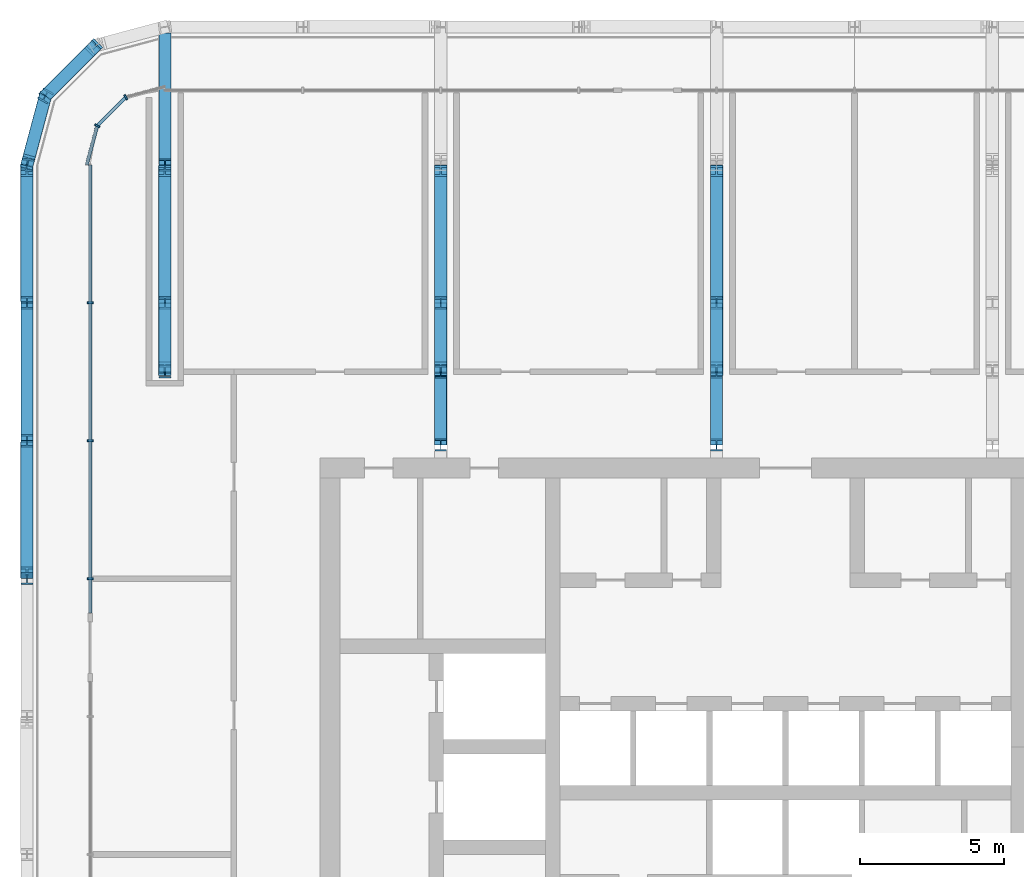
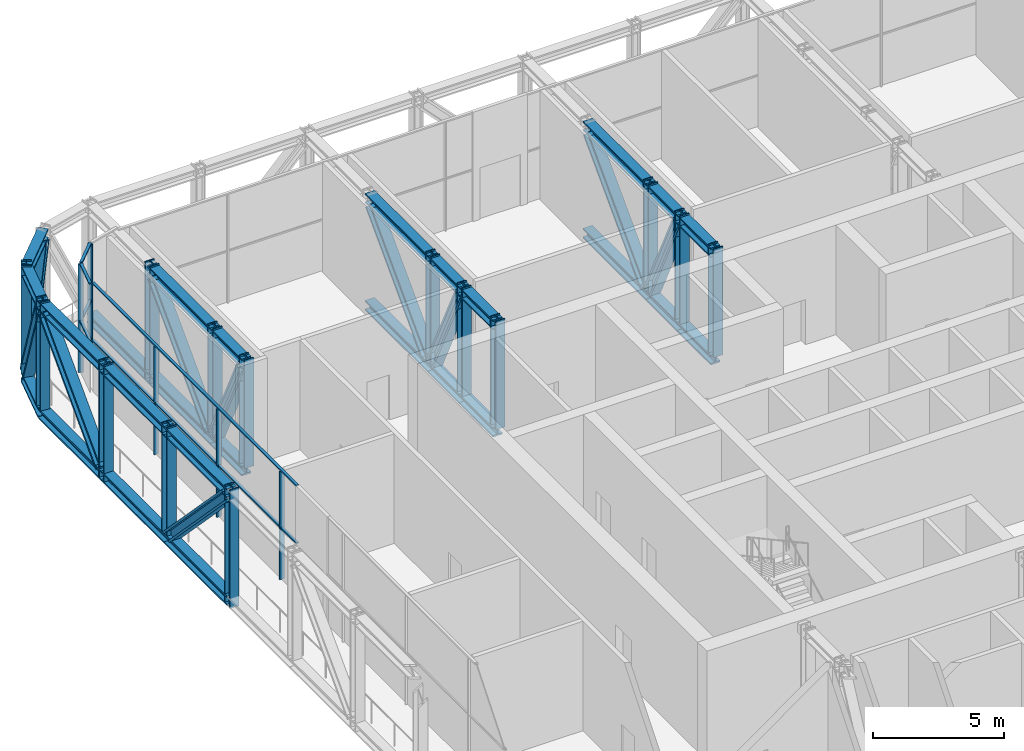
# One storey, part 7 of 22: 65 members, 2 elements without a shape of their own.
"""IFC4 building model written with IfcOpenShell, lengths in metres."""

from ifc_helpers import new_model, si_unit, direction, frame, origin, origin_2d, place, context, subcontext, project, spatial, rectangle, i_section, extrude, material, layer, layer_set, material_profile, profile_set, type_object, element, aggregate, save


model = new_model("IFC4")

# Units and contexts
model_context = context("Model", 3, precision=1e-05, world=origin(), true_north=direction((0.0, 1.0)))
body_context = subcontext(model_context, "Body", "Model", "MODEL_VIEW")
ifc_project = project(units=[si_unit("LENGTHUNIT", "METRE"), si_unit("AREAUNIT", "SQUARE_METRE"), si_unit("VOLUMEUNIT", "CUBIC_METRE"), si_unit("PLANEANGLEUNIT", "RADIAN"), si_unit("MASSUNIT", "GRAM", prefix="KILO")], contexts=[model_context])

# Site, building, storey
site_placement = place(None, origin())
site = spatial("IfcSite", under=ifc_project, at=site_placement, CompositionType="ELEMENT")
building_placement = place(site_placement, origin())
building = spatial("IfcBuilding", under=site, at=building_placement, Name="Madar Terraces", CompositionType="ELEMENT")
storey_placement = place(building_placement, frame((0.0, 0.0, 203.39990234375)))
storey = spatial("IfcBuildingStorey", under=building, at=storey_placement, Name="L53", CompositionType="ELEMENT", Elevation=203.39990234375)

# Members
ifc_material_1 = material(Name="Steel ASTM A992 Grade 50", Category="steel")
ifc_material_profile_1 = material_profile(ifc_material_1, i_section(OverallWidth=0.421630859375, OverallDepth=0.46484375, WebThickness=0.044921875, FlangeThickness=0.072509765625, at=origin_2d()), Name="W14x398")
ifc_profile_set_1 = profile_set([ifc_material_profile_1], Name="Steel ASTM A992 Grade 50")
member_type_1 = type_object("IfcMemberType", Name="BC7 W14x398", PredefinedType="CHORD", material=ifc_profile_set_1)
for number, where, z_axis, x_axis, name in (
    (1, (7.199951171875, 52.156982421875, -0.1875), (-0.70705765096, -0.707155907999, 0.0), (0.707155907999, -0.70705765096, 0.0), "Exoskeleton truss ring bottom chord BC7"),
    (2, (5.443115234375, 50.39990234375, -0.1875), (-0.258824494443, -0.965924366126, 0.0), (0.965924366126, -0.258824494443, 0.0), "Exoskeleton truss ring bottom chord BC7"),
):
    element("IfcMember", number, at=place(storey_placement, frame(where, z_axis=z_axis, x_axis=x_axis)), inside=storey, type_object=member_type_1, Name=name, PredefinedType="CHORD", context=body_context, shape_type="SweptSolid", body=[
        extrude(i_section(OverallWidth=0.421630859375, OverallDepth=0.46484375, WebThickness=0.044921875, FlangeThickness=0.072509765625, at=origin_2d()), origin(), (0.0, 0.0, 1.0), 2.484619140625),
    ])
for number, where, z_axis, x_axis, name in (
    (3, (4.800048828125, 48.0, -0.1875), (0.0, -1.0, 0.0), (1.0, 0.0, 0.0), "Exoskeleton truss ring bottom chord BC7"),
    (4, (4.800048828125, 43.199951171875, -0.1875), (0.0, -1.0, 0.0), (1.0, 0.0, 0.0), "Exoskeleton truss ring bottom chord BC7"),
):
    element("IfcMember", number, at=place(storey_placement, frame(where, z_axis=z_axis, x_axis=x_axis)), inside=storey, type_object=member_type_1, Name=name, PredefinedType="CHORD", context=body_context, shape_type="SweptSolid", body=[
        extrude(i_section(OverallWidth=0.421630859375, OverallDepth=0.46484375, WebThickness=0.044921875, FlangeThickness=0.072509765625, at=origin_2d()), origin(), (0.0, 0.0, 1.0), 4.800048828125),
    ])
member_1_placement = place(storey_placement, frame((4.800048828125, 38.39990234375, -0.1875), z_axis=(0.0, -1.0, 0.0), x_axis=(1.0, 0.0, 0.0)))
element("IfcMember", 5, at=member_1_placement, inside=storey, type_object=member_type_1, Name="Exoskeleton truss ring bottom chord BC7", PredefinedType="CHORD", context=body_context, shape_type="SweptSolid", body=[
    extrude(i_section(OverallWidth=0.421630859375, OverallDepth=0.46484375, WebThickness=0.044921875, FlangeThickness=0.072509765625, at=origin_2d()), origin(), (0.0, 0.0, 1.0), 4.7998046875),
])
member_2_placement = place(storey_placement, frame((9.60009765625, 52.589111328125, -0.1875), z_axis=(0.0, -1.0, 0.0), x_axis=(1.0, 0.0, 0.0)))
element("IfcMember", 6, at=member_2_placement, inside=storey, type_object=member_type_1, Name="Exoskeleton truss cross N9.6 bottom chord BC7", PredefinedType="CHORD", context=body_context, shape_type="SweptSolid", body=[
    extrude(i_section(OverallWidth=0.421630859375, OverallDepth=0.46484375, WebThickness=0.044921875, FlangeThickness=0.072509765625, at=origin_2d()), origin(), (0.0, 0.0, 1.0), 4.589111328125),
])
member_3_placement = place(storey_placement, frame((9.60009765625, 48.0, -0.1875), z_axis=(0.0, -1.0, 0.0), x_axis=(1.0, 0.0, 0.0)))
element("IfcMember", 7, at=member_3_placement, inside=storey, type_object=member_type_1, Name="Exoskeleton truss cross N9.6 bottom chord BC7", PredefinedType="CHORD", context=body_context, shape_type="SweptSolid", body=[
    extrude(i_section(OverallWidth=0.421630859375, OverallDepth=0.46484375, WebThickness=0.044921875, FlangeThickness=0.072509765625, at=origin_2d()), origin(), (0.0, 0.0, 1.0), 4.800048828125),
])
member_4_placement = place(storey_placement, frame((9.60009765625, 43.199951171875, -0.1875), z_axis=(0.0, -1.0, 0.0), x_axis=(1.0, 0.0, 0.0)))
element("IfcMember", 8, at=member_4_placement, inside=storey, type_object=member_type_1, Name="Exoskeleton truss cross N9.6 bottom chord BC7", PredefinedType="CHORD", context=body_context, shape_type="SweptSolid", body=[
    extrude(i_section(OverallWidth=0.421630859375, OverallDepth=0.46484375, WebThickness=0.044921875, FlangeThickness=0.072509765625, at=origin_2d()), origin(), (0.0, 0.0, 1.0), 2.39990234375),
])
member_5_placement = place(storey_placement, frame((19.199951171875, 48.0, -0.1875), z_axis=(0.0, -1.0, 0.0), x_axis=(1.0, 0.0, 0.0)))
element("IfcMember", 9, at=member_5_placement, inside=storey, type_object=member_type_1, Name="Exoskeleton truss cross N19.2 bottom chord BC7", PredefinedType="CHORD", context=body_context, shape_type="SweptSolid", body=[
    extrude(i_section(OverallWidth=0.421630859375, OverallDepth=0.46484375, WebThickness=0.044921875, FlangeThickness=0.072509765625, at=origin_2d()), origin(), (0.0, 0.0, 1.0), 4.800048828125),
])
member_6_placement = place(storey_placement, frame((19.199951171875, 43.199951171875, -0.1875), z_axis=(0.0, -1.0, 0.0), x_axis=(1.0, 0.0, 0.0)))
element("IfcMember", 10, at=member_6_placement, inside=storey, type_object=member_type_1, Name="Exoskeleton truss cross N19.2 bottom chord BC7", PredefinedType="CHORD", context=body_context, shape_type="SweptSolid", body=[
    extrude(i_section(OverallWidth=0.421630859375, OverallDepth=0.46484375, WebThickness=0.044921875, FlangeThickness=0.072509765625, at=origin_2d()), origin(), (0.0, 0.0, 1.0), 2.39990234375),
])
member_7_placement = place(storey_placement, frame((19.199951171875, 40.800048828125, -0.1875), z_axis=(0.0, -1.0, 0.0), x_axis=(1.0, 0.0, 0.0)))
element("IfcMember", 11, at=member_7_placement, inside=storey, type_object=member_type_1, Name="Exoskeleton truss cross N19.2 bottom chord BC7", PredefinedType="CHORD", context=body_context, shape_type="SweptSolid", body=[
    extrude(i_section(OverallWidth=0.421630859375, OverallDepth=0.46484375, WebThickness=0.044921875, FlangeThickness=0.072509765625, at=origin_2d()), origin(), (0.0, 0.0, 1.0), 2.550048828125),
])
member_8_placement = place(storey_placement, frame((28.800048828125, 48.0, -0.1875), z_axis=(0.0, -1.0, 0.0), x_axis=(1.0, 0.0, 0.0)))
element("IfcMember", 12, at=member_8_placement, inside=storey, type_object=member_type_1, Name="Exoskeleton truss cross N28.8 bottom chord BC7", PredefinedType="CHORD", context=body_context, shape_type="SweptSolid", body=[
    extrude(i_section(OverallWidth=0.421630859375, OverallDepth=0.46484375, WebThickness=0.044921875, FlangeThickness=0.072509765625, at=origin_2d()), origin(), (0.0, 0.0, 1.0), 4.800048828125),
])
member_9_placement = place(storey_placement, frame((28.800048828125, 43.199951171875, -0.1875), z_axis=(0.0, -1.0, 0.0), x_axis=(1.0, 0.0, 0.0)))
element("IfcMember", 13, at=member_9_placement, inside=storey, type_object=member_type_1, Name="Exoskeleton truss cross N28.8 bottom chord BC7", PredefinedType="CHORD", context=body_context, shape_type="SweptSolid", body=[
    extrude(i_section(OverallWidth=0.421630859375, OverallDepth=0.46484375, WebThickness=0.044921875, FlangeThickness=0.072509765625, at=origin_2d()), origin(), (0.0, 0.0, 1.0), 2.39990234375),
])
member_10_placement = place(storey_placement, frame((28.800048828125, 40.800048828125, -0.1875), z_axis=(0.0, -1.0, 0.0), x_axis=(1.0, 0.0, 0.0)))
element("IfcMember", 14, at=member_10_placement, inside=storey, type_object=member_type_1, Name="Exoskeleton truss cross N28.8 bottom chord BC7", PredefinedType="CHORD", context=body_context, shape_type="SweptSolid", body=[
    extrude(i_section(OverallWidth=0.421630859375, OverallDepth=0.46484375, WebThickness=0.044921875, FlangeThickness=0.072509765625, at=origin_2d()), origin(), (0.0, 0.0, 1.0), 2.550048828125),
])

# Curtain wall, members
ifc_material_2 = material(Name="Glass, ceramic frit dark grey, with black aluminium frame", Category="aluminium")
ifc_layer = layer(ifc_material_2, 0.199951171875)
ifc_layer_set = layer_set([ifc_layer], Name="Facade curtain wall, tall glazing")
curtain_wall_type = type_object("IfcCurtainWallType", Name="Facade curtain wall, tall glazing", PredefinedType="NOTDEFINED", material=ifc_layer_set)
curtain_wall_1_placement = place(storey_placement, origin())
curtain_wall_1 = element("IfcCurtainWall", 15, at=curtain_wall_1_placement, inside=storey, type_object=curtain_wall_type, Name="Outer skin curtain wall west bay 1", PredefinedType="NOTDEFINED")
ifc_material_3 = material(Name="Aluminium, black anodised", Category="aluminium")
ifc_material_profile_2 = material_profile(ifc_material_3, rectangle(XDim=0.199951171875, YDim=0.06005859375, at=origin_2d()), Name="Facade mullion 60x200")
ifc_profile_set_2 = profile_set([ifc_material_profile_2], Name="Aluminium, black anodised")
member_type_2 = type_object("IfcMemberType", Name="Facade mullion 60x200", PredefinedType="MULLION", material=ifc_profile_set_2)
member_11_placement = place(storey_placement, frame((7.0, 43.199951171875, 0.0), z_axis=(0.0, 0.0, 1.0), x_axis=(1.0, 0.0, 0.0)))
member_11 = element("IfcMember", 16, at=member_11_placement, type_object=member_type_2, Name="Mullion 1", PredefinedType="MULLION", context=body_context, shape_type="SweptSolid", body=[
    extrude(rectangle(XDim=0.199951171875, YDim=0.06005859375, at=origin_2d()), origin(), (0.0, 0.0, 1.0), 5.0400390625),
])
member_12_placement = place(storey_placement, frame((7.0, 38.39990234375, 0.0), z_axis=(0.0, 0.0, 1.0), x_axis=(1.0, 0.0, 0.0)))
member_12 = element("IfcMember", 17, at=member_12_placement, type_object=member_type_2, Name="Mullion 2", PredefinedType="MULLION", context=body_context, shape_type="SweptSolid", body=[
    extrude(rectangle(XDim=0.199951171875, YDim=0.06005859375, at=origin_2d()), origin(), (0.0, 0.0, 1.0), 5.0400390625),
])
member_13_placement = place(storey_placement, frame((7.0, 33.60009765625, 0.0), z_axis=(0.0, 0.0, 1.0), x_axis=(1.0, 0.0, 0.0)))
member_13 = element("IfcMember", 18, at=member_13_placement, type_object=member_type_2, Name="Mullion 3", PredefinedType="MULLION", context=body_context, shape_type="SweptSolid", body=[
    extrude(rectangle(XDim=0.199951171875, YDim=0.06005859375, at=origin_2d()), origin(), (0.0, 0.0, 1.0), 5.0400390625),
])

curtain_wall_2_placement = place(storey_placement, origin())
curtain_wall_2 = element("IfcCurtainWall", 19, at=curtain_wall_2_placement, inside=storey, type_object=curtain_wall_type, Name="Outer skin curtain wall north-west corner", PredefinedType="NOTDEFINED")
member_14_placement = place(storey_placement, frame((8.239990234375, 50.35546875, 0.0), z_axis=(0.0, 0.0, 1.0), x_axis=(0.500000029202, -0.866025386925, 0.0)))
member_14 = element("IfcMember", 20, at=member_14_placement, type_object=member_type_2, Name="Mullion 1", PredefinedType="MULLION", context=body_context, shape_type="SweptSolid", body=[
    extrude(rectangle(XDim=0.199951171875, YDim=0.06005859375, at=origin_2d()), origin(), (0.0, 0.0, 1.0), 5.0400390625),
])
member_15_placement = place(storey_placement, frame((7.244384765625, 49.360107421875, 0.0), z_axis=(0.0, 0.0, 1.0), x_axis=(0.866025386925, -0.500000029202, 0.0)))
member_15 = element("IfcMember", 21, at=member_15_placement, type_object=member_type_2, Name="Mullion 2", PredefinedType="MULLION", context=body_context, shape_type="SweptSolid", body=[
    extrude(rectangle(XDim=0.199951171875, YDim=0.06005859375, at=origin_2d()), origin(), (0.0, 0.0, 1.0), 5.0400390625),
])

# Member
ifc_material_4 = material(Name="Aluminium, black anodised", Category="aluminium")
ifc_material_profile_3 = material_profile(ifc_material_4, rectangle(XDim=0.1201171875, YDim=0.06005859375, at=origin_2d()), Name="Facade transom 60x120")
ifc_profile_set_3 = profile_set([ifc_material_profile_3], Name="Aluminium, black anodised")
member_type_3 = type_object("IfcMemberType", Name="Facade transom 60x120", PredefinedType="USERDEFINED", material=ifc_profile_set_3)
member_16_placement = place(storey_placement, frame((7.0, 48.0, 5.070068359375), z_axis=(0.0, -1.0, 0.0), x_axis=(1.0, 0.0, 0.0)))
member_16 = element("IfcMember", 22, at=member_16_placement, type_object=member_type_3, Name="Transom 1", ObjectType="TRANSOM", PredefinedType="USERDEFINED", context=body_context, shape_type="SweptSolid", body=[
    extrude(rectangle(XDim=0.1201171875, YDim=0.06005859375, at=origin_2d()), origin(), (0.0, 0.0, 1.0), 15.60009765625),
])

member_17_placement = place(storey_placement, frame((7.0, 48.0, 2.400146484375), z_axis=(0.0, -1.0, 0.0), x_axis=(1.0, 0.0, 0.0)))
member_17 = element("IfcMember", 23, at=member_17_placement, type_object=member_type_3, Name="Transom 2", ObjectType="TRANSOM", PredefinedType="USERDEFINED", context=body_context, shape_type="SweptSolid", body=[
    extrude(rectangle(XDim=0.1201171875, YDim=0.06005859375, at=origin_2d()), origin(), (0.0, 0.0, 1.0), 4.77001953125),
])

member_18_placement = place(storey_placement, frame((7.0, 43.169921875, 2.400146484375), z_axis=(0.0, -1.0, 0.0), x_axis=(1.0, 0.0, 0.0)))
member_18 = element("IfcMember", 24, at=member_18_placement, type_object=member_type_3, Name="Transom 3", ObjectType="TRANSOM", PredefinedType="USERDEFINED", context=body_context, shape_type="SweptSolid", body=[
    extrude(rectangle(XDim=0.1201171875, YDim=0.06005859375, at=origin_2d()), origin(), (0.0, 0.0, 1.0), 4.739990234375),
])

member_19_placement = place(storey_placement, frame((7.0, 38.3701171875, 2.400146484375), z_axis=(0.0, -1.0, 0.0), x_axis=(1.0, 0.0, 0.0)))
member_19 = element("IfcMember", 25, at=member_19_placement, type_object=member_type_3, Name="Transom 4", ObjectType="TRANSOM", PredefinedType="USERDEFINED", context=body_context, shape_type="SweptSolid", body=[
    extrude(rectangle(XDim=0.1201171875, YDim=0.06005859375, at=origin_2d()), origin(), (0.0, 0.0, 1.0), 4.740234375),
])

member_20_placement = place(storey_placement, frame((7.0, 33.570068359375, 2.400146484375), z_axis=(0.0, -1.0, 0.0), x_axis=(1.0, 0.0, 0.0)))
member_20 = element("IfcMember", 26, at=member_20_placement, type_object=member_type_3, Name="Transom 5", ObjectType="TRANSOM", PredefinedType="USERDEFINED", context=body_context, shape_type="SweptSolid", body=[
    extrude(rectangle(XDim=0.1201171875, YDim=0.06005859375, at=origin_2d()), origin(), (0.0, 0.0, 1.0), 1.170166015625),
])

aggregate(curtain_wall_1, [member_11, member_12, member_13, member_16, member_17, member_18, member_19, member_20])

member_21_placement = place(storey_placement, frame((8.21875, 50.33447265625, 5.070068359375), z_axis=(-0.707016225155, -0.707197325622, 0.0), x_axis=(0.707197325622, -0.707016225155, 0.0)))
member_21 = element("IfcMember", 27, at=member_21_placement, type_object=member_type_3, Name="Transom 3", ObjectType="TRANSOM", PredefinedType="USERDEFINED", context=body_context, shape_type="SweptSolid", body=[
    extrude(rectangle(XDim=0.1201171875, YDim=0.06005859375, at=origin_2d()), origin(), (0.0, 0.0, 1.0), 1.34814453125),
])

member_22_placement = place(storey_placement, frame((8.21875, 50.33447265625, 2.400146484375), z_axis=(-0.707016225155, -0.707197325622, 0.0), x_axis=(0.707197325622, -0.707016225155, 0.0)))
member_22 = element("IfcMember", 28, at=member_22_placement, type_object=member_type_3, Name="Transom 4", ObjectType="TRANSOM", PredefinedType="USERDEFINED", context=body_context, shape_type="SweptSolid", body=[
    extrude(rectangle(XDim=0.1201171875, YDim=0.06005859375, at=origin_2d()), origin(), (0.0, 0.0, 1.0), 1.34814453125),
])

member_23_placement = place(storey_placement, frame((7.236572265625, 49.3310546875, 5.070068359375), z_axis=(-0.258842352791, -0.965919580711, 0.0), x_axis=(0.965919580711, -0.258842352791, 0.0)))
member_23 = element("IfcMember", 29, at=member_23_placement, type_object=member_type_3, Name="Transom 5", ObjectType="TRANSOM", PredefinedType="USERDEFINED", context=body_context, shape_type="SweptSolid", body=[
    extrude(rectangle(XDim=0.1201171875, YDim=0.06005859375, at=origin_2d()), origin(), (0.0, 0.0, 1.0), 1.3779296875),
])

member_24_placement = place(storey_placement, frame((7.236572265625, 49.3310546875, 2.400146484375), z_axis=(-0.258842352791, -0.965919580711, 0.0), x_axis=(0.965919580711, -0.258842352791, 0.0)))
member_24 = element("IfcMember", 30, at=member_24_placement, type_object=member_type_3, Name="Transom 6", ObjectType="TRANSOM", PredefinedType="USERDEFINED", context=body_context, shape_type="SweptSolid", body=[
    extrude(rectangle(XDim=0.1201171875, YDim=0.06005859375, at=origin_2d()), origin(), (0.0, 0.0, 1.0), 1.3779296875),
])

aggregate(curtain_wall_2, [member_14, member_15, member_21, member_22, member_23, member_24])

# Members
ifc_material_5 = material(Name="Steel ASTM A992 Grade 50", Category="steel")
ifc_material_profile_4 = material_profile(ifc_material_5, i_section(OverallWidth=0.41650390625, OverallDepth=0.444580078125, WebThickness=0.0390625, FlangeThickness=0.062744140625, at=origin_2d()), Name="W14x342")
ifc_profile_set_4 = profile_set([ifc_material_profile_4], Name="Steel ASTM A992 Grade 50")
member_type_4 = type_object("IfcMemberType", Name="TC7 W14x342", PredefinedType="CHORD", material=ifc_profile_set_4)
for number, where, z_axis, x_axis, name in (
    (31, (7.199951171875, 52.156982421875, 4.807861328125), (-0.70705765096, -0.707155907999, 0.0), (0.707155907999, -0.70705765096, 0.0), "Exoskeleton truss ring top chord TC7"),
    (32, (5.443115234375, 50.39990234375, 4.807861328125), (-0.258824494443, -0.965924366126, 0.0), (0.965924366126, -0.258824494443, 0.0), "Exoskeleton truss ring top chord TC7"),
):
    element("IfcMember", number, at=place(storey_placement, frame(where, z_axis=z_axis, x_axis=x_axis)), inside=storey, type_object=member_type_4, Name=name, PredefinedType="CHORD", context=body_context, shape_type="SweptSolid", body=[
        extrude(i_section(OverallWidth=0.41650390625, OverallDepth=0.444580078125, WebThickness=0.0390625, FlangeThickness=0.062744140625, at=origin_2d()), origin(), (0.0, 0.0, 1.0), 2.484619140625),
    ])
for number, where, z_axis, x_axis, name in (
    (33, (4.800048828125, 48.0, 4.807861328125), (0.0, -1.0, 0.0), (1.0, 0.0, 0.0), "Exoskeleton truss ring top chord TC7"),
    (34, (4.800048828125, 43.199951171875, 4.807861328125), (0.0, -1.0, 0.0), (1.0, 0.0, 0.0), "Exoskeleton truss ring top chord TC7"),
):
    element("IfcMember", number, at=place(storey_placement, frame(where, z_axis=z_axis, x_axis=x_axis)), inside=storey, type_object=member_type_4, Name=name, PredefinedType="CHORD", context=body_context, shape_type="SweptSolid", body=[
        extrude(i_section(OverallWidth=0.41650390625, OverallDepth=0.444580078125, WebThickness=0.0390625, FlangeThickness=0.062744140625, at=origin_2d()), origin(), (0.0, 0.0, 1.0), 4.800048828125),
    ])
member_25_placement = place(storey_placement, frame((4.800048828125, 38.39990234375, 4.807861328125), z_axis=(0.0, -1.0, 0.0), x_axis=(1.0, 0.0, 0.0)))
element("IfcMember", 35, at=member_25_placement, inside=storey, type_object=member_type_4, Name="Exoskeleton truss ring top chord TC7", PredefinedType="CHORD", context=body_context, shape_type="SweptSolid", body=[
    extrude(i_section(OverallWidth=0.41650390625, OverallDepth=0.444580078125, WebThickness=0.0390625, FlangeThickness=0.062744140625, at=origin_2d()), origin(), (0.0, 0.0, 1.0), 4.7998046875),
])
member_26_placement = place(storey_placement, frame((9.60009765625, 48.0, 4.807861328125), z_axis=(0.0, -1.0, 0.0), x_axis=(1.0, 0.0, 0.0)))
element("IfcMember", 36, at=member_26_placement, inside=storey, type_object=member_type_4, Name="Exoskeleton truss cross N9.6 top chord TC7", PredefinedType="CHORD", context=body_context, shape_type="SweptSolid", body=[
    extrude(i_section(OverallWidth=0.41650390625, OverallDepth=0.444580078125, WebThickness=0.0390625, FlangeThickness=0.062744140625, at=origin_2d()), origin(), (0.0, 0.0, 1.0), 4.800048828125),
])
member_27_placement = place(storey_placement, frame((9.60009765625, 43.199951171875, 4.807861328125), z_axis=(0.0, -1.0, 0.0), x_axis=(1.0, 0.0, 0.0)))
element("IfcMember", 37, at=member_27_placement, inside=storey, type_object=member_type_4, Name="Exoskeleton truss cross N9.6 top chord TC7", PredefinedType="CHORD", context=body_context, shape_type="SweptSolid", body=[
    extrude(i_section(OverallWidth=0.41650390625, OverallDepth=0.444580078125, WebThickness=0.0390625, FlangeThickness=0.062744140625, at=origin_2d()), origin(), (0.0, 0.0, 1.0), 2.39990234375),
])
member_28_placement = place(storey_placement, frame((19.199951171875, 48.0, 4.807861328125), z_axis=(0.0, -1.0, 0.0), x_axis=(1.0, 0.0, 0.0)))
element("IfcMember", 38, at=member_28_placement, inside=storey, type_object=member_type_4, Name="Exoskeleton truss cross N19.2 top chord TC7", PredefinedType="CHORD", context=body_context, shape_type="SweptSolid", body=[
    extrude(i_section(OverallWidth=0.41650390625, OverallDepth=0.444580078125, WebThickness=0.0390625, FlangeThickness=0.062744140625, at=origin_2d()), origin(), (0.0, 0.0, 1.0), 4.800048828125),
])
member_29_placement = place(storey_placement, frame((19.199951171875, 43.199951171875, 4.807861328125), z_axis=(0.0, -1.0, 0.0), x_axis=(1.0, 0.0, 0.0)))
element("IfcMember", 39, at=member_29_placement, inside=storey, type_object=member_type_4, Name="Exoskeleton truss cross N19.2 top chord TC7", PredefinedType="CHORD", context=body_context, shape_type="SweptSolid", body=[
    extrude(i_section(OverallWidth=0.41650390625, OverallDepth=0.444580078125, WebThickness=0.0390625, FlangeThickness=0.062744140625, at=origin_2d()), origin(), (0.0, 0.0, 1.0), 2.39990234375),
])
member_30_placement = place(storey_placement, frame((19.199951171875, 40.800048828125, 4.807861328125), z_axis=(0.0, -1.0, 0.0), x_axis=(1.0, 0.0, 0.0)))
element("IfcMember", 40, at=member_30_placement, inside=storey, type_object=member_type_4, Name="Exoskeleton truss cross N19.2 top chord TC7", PredefinedType="CHORD", context=body_context, shape_type="SweptSolid", body=[
    extrude(i_section(OverallWidth=0.41650390625, OverallDepth=0.444580078125, WebThickness=0.0390625, FlangeThickness=0.062744140625, at=origin_2d()), origin(), (0.0, 0.0, 1.0), 2.550048828125),
])
member_31_placement = place(storey_placement, frame((28.800048828125, 48.0, 4.807861328125), z_axis=(0.0, -1.0, 0.0), x_axis=(1.0, 0.0, 0.0)))
element("IfcMember", 41, at=member_31_placement, inside=storey, type_object=member_type_4, Name="Exoskeleton truss cross N28.8 top chord TC7", PredefinedType="CHORD", context=body_context, shape_type="SweptSolid", body=[
    extrude(i_section(OverallWidth=0.41650390625, OverallDepth=0.444580078125, WebThickness=0.0390625, FlangeThickness=0.062744140625, at=origin_2d()), origin(), (0.0, 0.0, 1.0), 4.800048828125),
])
member_32_placement = place(storey_placement, frame((28.800048828125, 43.199951171875, 4.807861328125), z_axis=(0.0, -1.0, 0.0), x_axis=(1.0, 0.0, 0.0)))
element("IfcMember", 42, at=member_32_placement, inside=storey, type_object=member_type_4, Name="Exoskeleton truss cross N28.8 top chord TC7", PredefinedType="CHORD", context=body_context, shape_type="SweptSolid", body=[
    extrude(i_section(OverallWidth=0.41650390625, OverallDepth=0.444580078125, WebThickness=0.0390625, FlangeThickness=0.062744140625, at=origin_2d()), origin(), (0.0, 0.0, 1.0), 2.39990234375),
])
member_33_placement = place(storey_placement, frame((28.800048828125, 40.800048828125, 4.807861328125), z_axis=(0.0, -1.0, 0.0), x_axis=(1.0, 0.0, 0.0)))
element("IfcMember", 43, at=member_33_placement, inside=storey, type_object=member_type_4, Name="Exoskeleton truss cross N28.8 top chord TC7", PredefinedType="CHORD", context=body_context, shape_type="SweptSolid", body=[
    extrude(i_section(OverallWidth=0.41650390625, OverallDepth=0.444580078125, WebThickness=0.0390625, FlangeThickness=0.062744140625, at=origin_2d()), origin(), (0.0, 0.0, 1.0), 2.550048828125),
])
ifc_material_6 = material(Name="Steel ASTM A992 Grade 50", Category="steel")
ifc_material_profile_5 = material_profile(ifc_material_6, i_section(OverallWidth=0.436767578125, OverallDepth=0.51318359375, WebThickness=0.060546875, FlangeThickness=0.096923828125, at=origin_2d()), Name="W14x550")
ifc_profile_set_5 = profile_set([ifc_material_profile_5], Name="Steel ASTM A992 Grade 50")
member_type_5 = type_object("IfcMemberType", Name="TD7 W14x550", PredefinedType="BRACE", material=ifc_profile_set_5)
for number, where, z_axis, x_axis, name in (
    (44, (7.121826171875, 52.078857421875, 4.585693359375), (-0.314884373738, -0.314932513835, -0.895357662002), (0.707160826876, -0.707052731366, 0.0), "Exoskeleton truss ring diagonal TD7"),
    (45, (5.4130859375, 50.288330078125, 0.044921875), (-0.115247273497, -0.430179463645, 0.895356741757), (0.96593647238, -0.25877931008, 0.0), "Exoskeleton truss ring diagonal TD7"),
):
    element("IfcMember", number, at=place(storey_placement, frame(where, z_axis=z_axis, x_axis=x_axis)), inside=storey, type_object=member_type_5, Name=name, PredefinedType="BRACE", context=body_context, shape_type="SweptSolid", body=[
        extrude(i_section(OverallWidth=0.436767578125, OverallDepth=0.51318359375, WebThickness=0.060546875, FlangeThickness=0.096923828125, at=origin_2d()), origin(), (0.0, 0.0, 1.0), 5.071533203125),
    ])
member_34_placement = place(storey_placement, frame((4.800048828125, 47.786376953125, 4.585693359375), z_axis=(0.0, -0.692853764203, -0.721078124359), x_axis=(1.0, 0.0, 0.0)))
element("IfcMember", 46, at=member_34_placement, inside=storey, type_object=member_type_5, Name="Exoskeleton truss ring diagonal TD7", PredefinedType="BRACE", context=body_context, shape_type="SweptSolid", body=[
    extrude(i_section(OverallWidth=0.436767578125, OverallDepth=0.51318359375, WebThickness=0.060546875, FlangeThickness=0.096923828125, at=origin_2d()), origin(), (0.0, 0.0, 1.0), 6.297119140625),
])
member_35_placement = place(storey_placement, frame((4.800048828125, 38.1767578125, 0.044921875), z_axis=(0.0, -0.692873921852, 0.721058755177), x_axis=(1.0, 0.0, 0.0)))
element("IfcMember", 47, at=member_35_placement, inside=storey, type_object=member_type_5, Name="Exoskeleton truss ring diagonal TD7", PredefinedType="BRACE", context=body_context, shape_type="SweptSolid", body=[
    extrude(i_section(OverallWidth=0.436767578125, OverallDepth=0.51318359375, WebThickness=0.060546875, FlangeThickness=0.096923828125, at=origin_2d()), origin(), (0.0, 0.0, 1.0), 6.29736328125),
])
member_36_placement = place(storey_placement, frame((9.60009765625, 47.786376953125, 4.585693359375), z_axis=(0.0, -0.692853764203, -0.721078124359), x_axis=(1.0, 0.0, 0.0)))
element("IfcMember", 48, at=member_36_placement, inside=storey, type_object=member_type_5, Name="Exoskeleton truss cross N9.6 diagonal TD7", PredefinedType="BRACE", context=body_context, shape_type="SweptSolid", body=[
    extrude(i_section(OverallWidth=0.436767578125, OverallDepth=0.51318359375, WebThickness=0.060546875, FlangeThickness=0.096923828125, at=origin_2d()), origin(), (0.0, 0.0, 1.0), 6.297119140625),
])
member_37_placement = place(storey_placement, frame((9.60009765625, 43.08837890625, 0.044921875), z_axis=(0.0, -0.433065047911, 0.901362670781), x_axis=(1.0, 0.0, 0.0)))
element("IfcMember", 49, at=member_37_placement, inside=storey, type_object=member_type_5, Name="Exoskeleton truss cross N9.6 diagonal TD7", PredefinedType="BRACE", context=body_context, shape_type="SweptSolid", body=[
    extrude(i_section(OverallWidth=0.436767578125, OverallDepth=0.51318359375, WebThickness=0.060546875, FlangeThickness=0.096923828125, at=origin_2d()), origin(), (0.0, 0.0, 1.0), 5.03759765625),
])
member_38_placement = place(storey_placement, frame((19.199951171875, 47.786376953125, 4.585693359375), z_axis=(0.0, -0.692853764203, -0.721078124359), x_axis=(1.0, 0.0, 0.0)))
element("IfcMember", 50, at=member_38_placement, inside=storey, type_object=member_type_5, Name="Exoskeleton truss cross N19.2 diagonal TD7", PredefinedType="BRACE", context=body_context, shape_type="SweptSolid", body=[
    extrude(i_section(OverallWidth=0.436767578125, OverallDepth=0.51318359375, WebThickness=0.060546875, FlangeThickness=0.096923828125, at=origin_2d()), origin(), (0.0, 0.0, 1.0), 6.297119140625),
])
member_39_placement = place(storey_placement, frame((19.199951171875, 43.08837890625, 0.044921875), z_axis=(0.0, -0.433065047911, 0.901362670781), x_axis=(1.0, 0.0, 0.0)))
element("IfcMember", 51, at=member_39_placement, inside=storey, type_object=member_type_5, Name="Exoskeleton truss cross N19.2 diagonal TD7", PredefinedType="BRACE", context=body_context, shape_type="SweptSolid", body=[
    extrude(i_section(OverallWidth=0.436767578125, OverallDepth=0.51318359375, WebThickness=0.060546875, FlangeThickness=0.096923828125, at=origin_2d()), origin(), (0.0, 0.0, 1.0), 5.03759765625),
])
member_40_placement = place(storey_placement, frame((28.800048828125, 47.786376953125, 4.585693359375), z_axis=(0.0, -0.692853764203, -0.721078124359), x_axis=(1.0, 0.0, 0.0)))
element("IfcMember", 52, at=member_40_placement, inside=storey, type_object=member_type_5, Name="Exoskeleton truss cross N28.8 diagonal TD7", PredefinedType="BRACE", context=body_context, shape_type="SweptSolid", body=[
    extrude(i_section(OverallWidth=0.436767578125, OverallDepth=0.51318359375, WebThickness=0.060546875, FlangeThickness=0.096923828125, at=origin_2d()), origin(), (0.0, 0.0, 1.0), 6.297119140625),
])
member_41_placement = place(storey_placement, frame((28.800048828125, 43.08837890625, 0.044921875), z_axis=(0.0, -0.433065047911, 0.901362670781), x_axis=(1.0, 0.0, 0.0)))
element("IfcMember", 53, at=member_41_placement, inside=storey, type_object=member_type_5, Name="Exoskeleton truss cross N28.8 diagonal TD7", PredefinedType="BRACE", context=body_context, shape_type="SweptSolid", body=[
    extrude(i_section(OverallWidth=0.436767578125, OverallDepth=0.51318359375, WebThickness=0.060546875, FlangeThickness=0.096923828125, at=origin_2d()), origin(), (0.0, 0.0, 1.0), 5.03759765625),
])
ifc_material_7 = material(Name="Steel ASTM A992 Grade 50", Category="steel")
ifc_material_profile_6 = material_profile(ifc_material_7, i_section(OverallWidth=0.408935546875, OverallDepth=0.424072265625, WebThickness=0.03271484375, FlangeThickness=0.052490234375, at=origin_2d()), Name="W14x283")
ifc_profile_set_6 = profile_set([ifc_material_profile_6], Name="Steel ASTM A992 Grade 50")
member_type_6 = type_object("IfcMemberType", Name="TV7 W14x283", PredefinedType="POST", material=ifc_profile_set_6)
for number, where, z_axis, x_axis, name in (
    (54, (5.443115234375, 50.39990234375, 0.044921875), (0.0, 0.0, 1.0), (0.866025412511, -0.499999984885, 0.0), "Exoskeleton truss ring post TV7"),
    (55, (4.800048828125, 48.0, 0.044921875), (0.0, 0.0, 1.0), (0.991444863652, -0.130526174916, 0.0), "Exoskeleton truss ring post TV7"),
):
    element("IfcMember", number, at=place(storey_placement, frame(where, z_axis=z_axis, x_axis=x_axis)), inside=storey, type_object=member_type_6, Name=name, PredefinedType="POST", context=body_context, shape_type="SweptSolid", body=[
        extrude(i_section(OverallWidth=0.408935546875, OverallDepth=0.424072265625, WebThickness=0.03271484375, FlangeThickness=0.052490234375, at=origin_2d()), origin(), (0.0, 0.0, 1.0), 5.05517578125),
    ])
member_42_placement = place(storey_placement, frame((4.800048828125, 43.199951171875, -0.419921875), z_axis=(0.0, 0.0, 1.0), x_axis=(1.0, 0.0, 0.0)))
element("IfcMember", 56, at=member_42_placement, inside=storey, type_object=member_type_6, Name="Exoskeleton truss ring post TV7", PredefinedType="POST", context=body_context, shape_type="SweptSolid", body=[
    extrude(i_section(OverallWidth=0.408935546875, OverallDepth=0.424072265625, WebThickness=0.03271484375, FlangeThickness=0.052490234375, at=origin_2d()), origin(), (0.0, 0.0, 1.0), 5.52001953125),
])
member_43_placement = place(storey_placement, frame((4.800048828125, 38.39990234375, 0.044921875), z_axis=(0.0, 0.0, 1.0), x_axis=(1.0, 0.0, 0.0)))
element("IfcMember", 57, at=member_43_placement, inside=storey, type_object=member_type_6, Name="Exoskeleton truss ring post TV7", PredefinedType="POST", context=body_context, shape_type="SweptSolid", body=[
    extrude(i_section(OverallWidth=0.408935546875, OverallDepth=0.424072265625, WebThickness=0.03271484375, FlangeThickness=0.052490234375, at=origin_2d()), origin(), (0.0, 0.0, 1.0), 5.05517578125),
])
for number, where, z_axis, x_axis, name in (
    (58, (4.800048828125, 33.60009765625, -0.419921875), (0.0, 0.0, 1.0), (1.0, 0.0, 0.0), "Exoskeleton truss ring post TV7"),
    (59, (9.60009765625, 48.0, -0.419921875), (0.0, 0.0, 1.0), (-1.0, 0.0, 0.0), "Exoskeleton truss cross N9.6 post TV7"),
):
    element("IfcMember", number, at=place(storey_placement, frame(where, z_axis=z_axis, x_axis=x_axis)), inside=storey, type_object=member_type_6, Name=name, PredefinedType="POST", context=body_context, shape_type="SweptSolid", body=[
        extrude(i_section(OverallWidth=0.408935546875, OverallDepth=0.424072265625, WebThickness=0.03271484375, FlangeThickness=0.052490234375, at=origin_2d()), origin(), (0.0, 0.0, 1.0), 5.52001953125),
    ])
for number, where, z_axis, x_axis, name in (
    (60, (9.60009765625, 43.199951171875, 0.044921875), (0.0, 0.0, 1.0), (-1.0, 0.0, 0.0), "Exoskeleton truss cross N9.6 post TV7"),
    (61, (9.60009765625, 40.800048828125, 0.044921875), (0.0, 0.0, 1.0), (-1.0, 0.0, 0.0), "Exoskeleton truss cross N9.6 post TV7"),
    (62, (19.199951171875, 43.199951171875, 0.044921875), (0.0, 0.0, 1.0), (-1.0, 0.0, 0.0), "Exoskeleton truss cross N19.2 post TV7"),
    (63, (19.199951171875, 40.800048828125, 0.044921875), (0.0, 0.0, 1.0), (-1.0, 0.0, 0.0), "Exoskeleton truss cross N19.2 post TV7"),
    (64, (19.199951171875, 38.25, 0.044921875), (0.0, 0.0, 1.0), (-1.0, 0.0, 0.0), "Exoskeleton truss cross N19.2 post TV7"),
    (65, (28.800048828125, 43.199951171875, 0.044921875), (0.0, 0.0, 1.0), (-1.0, 0.0, 0.0), "Exoskeleton truss cross N28.8 post TV7"),
    (66, (28.800048828125, 40.800048828125, 0.044921875), (0.0, 0.0, 1.0), (-1.0, 0.0, 0.0), "Exoskeleton truss cross N28.8 post TV7"),
    (67, (28.800048828125, 38.25, 0.044921875), (0.0, 0.0, 1.0), (-1.0, 0.0, 0.0), "Exoskeleton truss cross N28.8 post TV7"),
):
    element("IfcMember", number, at=place(storey_placement, frame(where, z_axis=z_axis, x_axis=x_axis)), inside=storey, type_object=member_type_6, Name=name, PredefinedType="POST", context=body_context, shape_type="SweptSolid", body=[
        extrude(i_section(OverallWidth=0.408935546875, OverallDepth=0.424072265625, WebThickness=0.03271484375, FlangeThickness=0.052490234375, at=origin_2d()), origin(), (0.0, 0.0, 1.0), 5.05517578125),
    ])

save(model, "model.ifc")
